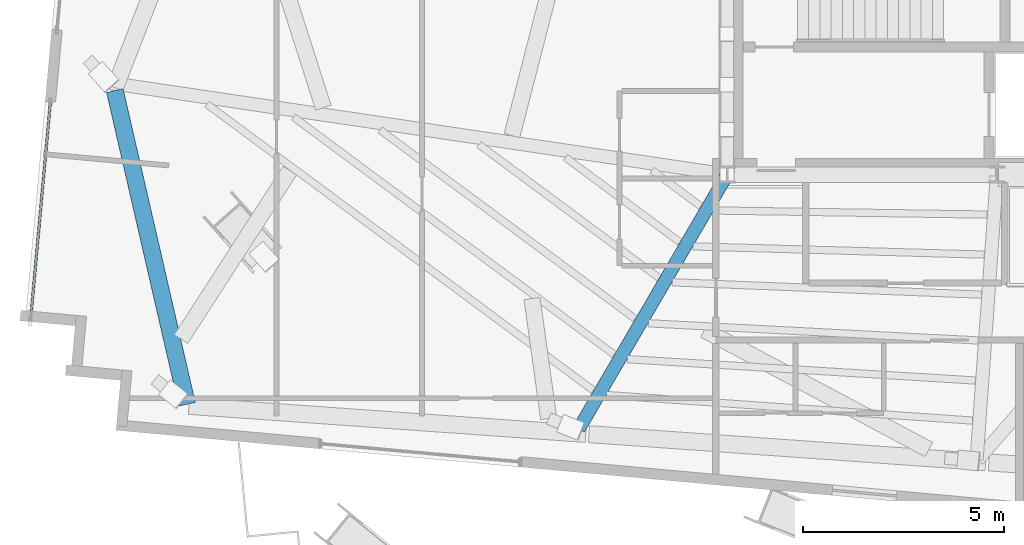
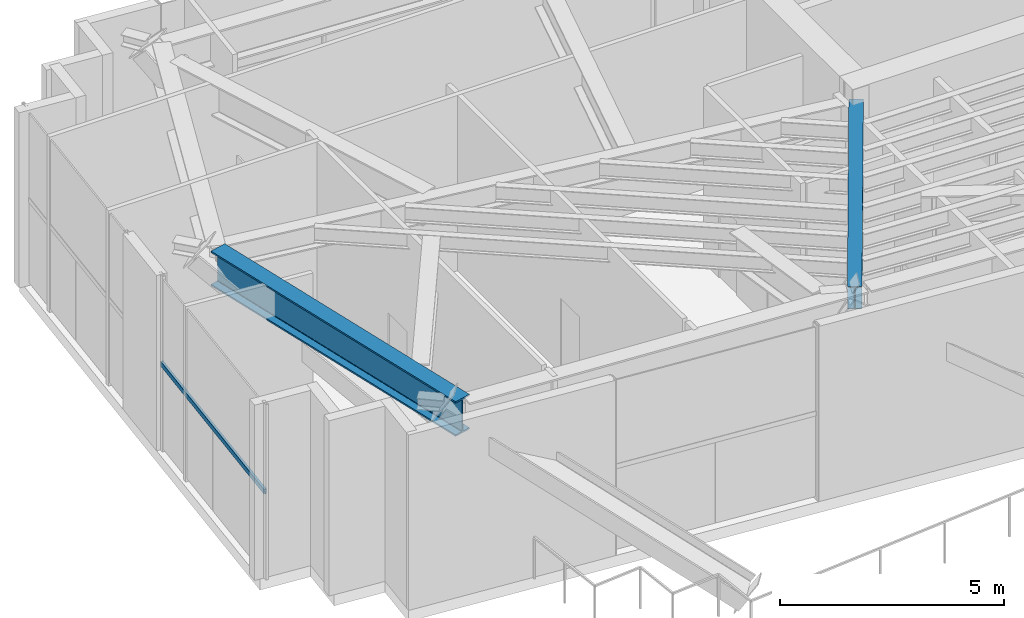
# One storey, part 3 of 20: 2 beams, 1 member, 1 element without a shape of its own.
"""IFC4 building model written with IfcOpenShell, lengths in metres."""

from ifc_helpers import new_model, si_unit, direction, frame, origin, origin_2d, place, context, subcontext, project, spatial, hollow_rectangle, i_section, extrude, source, transform, mapped, material, material_profile, profile_set, type_object, type_shapes, element, aggregate, save


model = new_model("IFC4")

# Units and contexts
model_context = context("Model", 3, precision=1e-05, world=origin(), true_north=direction((0.0, 1.0)))
body_context = subcontext(model_context, "Body", "Model", "MODEL_VIEW")
ifc_project = project(units=[si_unit("LENGTHUNIT", "METRE"), si_unit("AREAUNIT", "SQUARE_METRE"), si_unit("VOLUMEUNIT", "CUBIC_METRE"), si_unit("PLANEANGLEUNIT", "RADIAN"), si_unit("MASSUNIT", "GRAM", prefix="KILO")], contexts=[model_context])

# Site, building, storey
site_placement = place(None, origin())
site = spatial("IfcSite", under=ifc_project, at=site_placement, CompositionType="ELEMENT")
building_placement = place(site_placement, origin())
building = spatial("IfcBuilding", under=site, at=building_placement, Name="Astriad Promenade Condominiums", CompositionType="ELEMENT")
storey_placement = place(building_placement, frame((0.0, 0.0, 211.39990234375)))
storey = spatial("IfcBuildingStorey", under=building, at=storey_placement, Name="L61", CompositionType="ELEMENT", Elevation=211.39990234375)

# Beams
ifc_material_1 = material(Name="Steel ASTM A992 Grade 50", Category="steel")
ifc_material_profile_1 = material_profile(ifc_material_1, i_section(OverallWidth=0.423095703125, OverallDepth=0.9482421875, WebThickness=0.02392578125, FlangeThickness=0.042724609375, FilletRadius=0.024169921875, at=origin_2d()), Name="W36X302")
ifc_profile_set_1 = profile_set([ifc_material_profile_1], Name="Steel ASTM A992 Grade 50")
beam_type_1 = type_object("IfcBeamType", Name="STEEL PERIMETER RING GIRDER W36X302", PredefinedType="BEAM", material=ifc_profile_set_1)
shared_shape_1 = source(origin(), body_context, "Body", "SweptSolid", [
    extrude(i_section(OverallWidth=0.423095703125, OverallDepth=0.9482421875, WebThickness=0.02392578125, FlangeThickness=0.042724609375, FilletRadius=0.024169921875, at=origin_2d()), origin(), (0.0, 0.0, 1.0), 8.015380859375),
])
type_shapes(beam_type_1, [shared_shape_1])
beam_1_placement = place(storey_placement, frame((11.148681640625, 19.491455078125, 4.305908203125), z_axis=(0.224361181329, -0.974506059659, 0.0), x_axis=(0.974506059659, 0.224361181329, 0.0)))
element("IfcBeam", 1, at=beam_1_placement, inside=storey, type_object=beam_type_1, Name="Perimeter Spandrel Beam SP-W1-L61", PredefinedType="BEAM", context=body_context, shape_type="MappedRepresentation", body=[
    mapped(shared_shape_1, transform((0.0, 0.0, 0.0), scale=1.0)),
])
ifc_material_profile_2 = material_profile(ifc_material_1, i_section(OverallWidth=0.326416015625, OverallDepth=0.621826171875, WebThickness=0.015380859375, FlangeThickness=0.0244140625, FilletRadius=0.017822265625, at=origin_2d()), Name="W24X131")
ifc_profile_set_2 = profile_set([ifc_material_profile_2], Name="Steel ASTM A992 Grade 50")
beam_type_2 = type_object("IfcBeamType", Name="STEEL FLOOR GIRDER W24X131", PredefinedType="BEAM", material=ifc_profile_set_2)
shared_shape_2 = source(origin(), body_context, "Body", "SweptSolid", [
    extrude(i_section(OverallWidth=0.326416015625, OverallDepth=0.621826171875, WebThickness=0.015380859375, FlangeThickness=0.0244140625, FilletRadius=0.017822265625, at=origin_2d()), origin(), (0.0, 0.0, 1.0), 7.29345703125),
])
type_shapes(beam_type_2, [shared_shape_2])
beam_2_placement = place(storey_placement, frame((22.705322265625, 11.065185546875, 4.46923828125), z_axis=(0.503808586723, 0.863815320508, 0.0), x_axis=(-0.863815320508, 0.503808586723, 0.0)))
element("IfcBeam", 2, at=beam_2_placement, inside=storey, type_object=beam_type_2, Name="Primary Floor Girder PG-W2-L61", PredefinedType="BEAM", context=body_context, shape_type="MappedRepresentation", body=[
    mapped(shared_shape_2, transform((0.0, 0.0, 0.0), scale=1.0)),
])

# Curtain wall, member
ifc_material_2 = material(Name="Anodised aluminium Black Dark Glass Unitised", Category="aluminium")
curtain_wall_type = type_object("IfcCurtainWallType", Name="CW-B5-DARK", PredefinedType="USERDEFINED", material=ifc_material_2)
curtain_wall_placement = place(storey_placement, origin())
curtain_wall = element("IfcCurtainWall", 3, at=curtain_wall_placement, inside=storey, type_object=curtain_wall_type, Name="CW-L61-W-1", ObjectType="UNITISED_CURTAIN_WALL", PredefinedType="USERDEFINED")
ifc_material_3 = material(Name="Anodised aluminium 6063-T6 Black", Category="aluminium")
ifc_material_profile_3 = material_profile(ifc_material_3, hollow_rectangle(XDim=0.06494140625, YDim=0.1298828125, WallThickness=0.00390625, at=origin_2d()), Name="ALU-TRN-65X130")
ifc_profile_set_3 = profile_set([ifc_material_profile_3], Name="Anodised aluminium 6063-T6 Black")
member_type = type_object("IfcMemberType", Name="TRN-ALU-TRN-65X130", PredefinedType="USERDEFINED", material=ifc_profile_set_3)
shared_shape_3 = source(origin(), body_context, "Body", "SweptSolid", [
    extrude(hollow_rectangle(XDim=0.06494140625, YDim=0.1298828125, WallThickness=0.00390625, at=origin_2d()), origin(), (0.0, 0.0, 1.0), 5.5),
])
type_shapes(member_type, [shared_shape_3])
member_placement = place(storey_placement, frame((9.0458984375, 13.7353515625, 2.35009765625), z_axis=(0.090599783742, 0.995887382783, 0.0), x_axis=(-0.995887382783, 0.090599783742, 0.0)))
member = element("IfcMember", 4, at=member_placement, type_object=member_type, Name="CW-L61-W-1-TRN-00-0", ObjectType="TRANSOM", PredefinedType="USERDEFINED", context=body_context, shape_type="MappedRepresentation", body=[
    mapped(shared_shape_3, transform((0.0, 0.0, 0.0), scale=1.0)),
])
aggregate(curtain_wall, [member])

save(model, "model.ifc")
